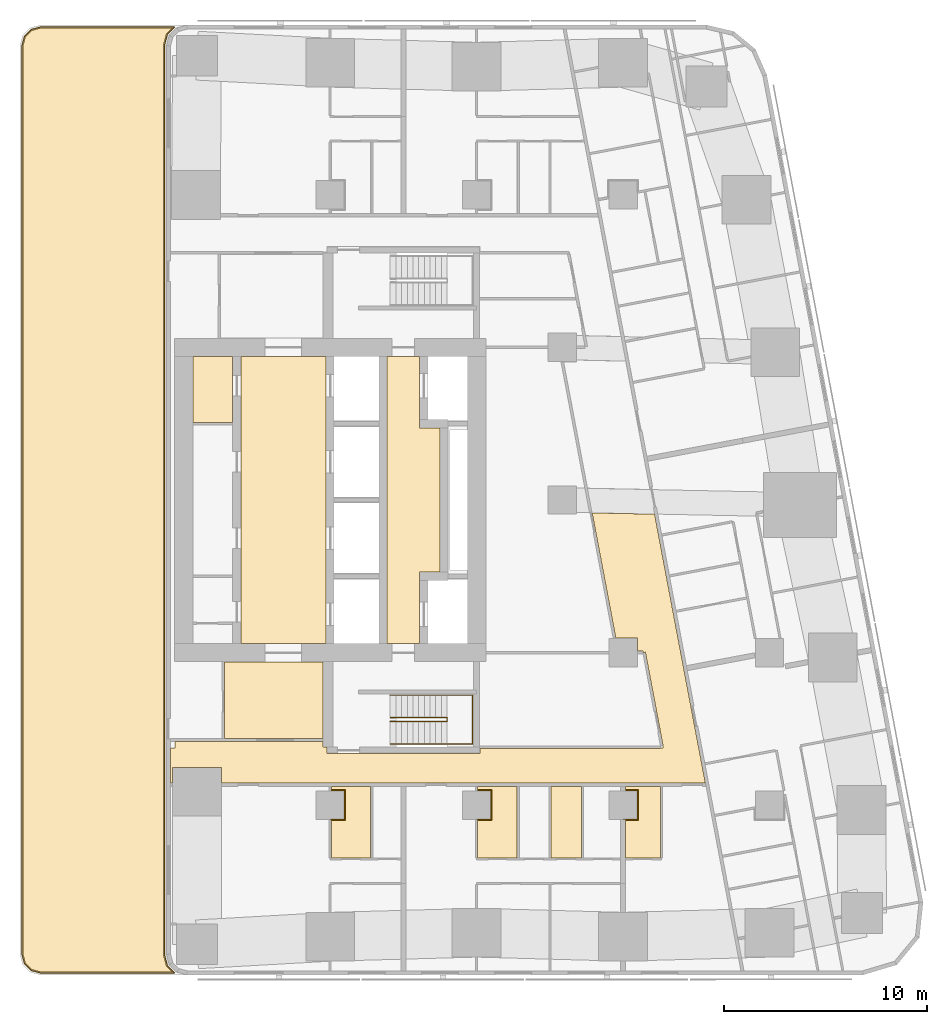
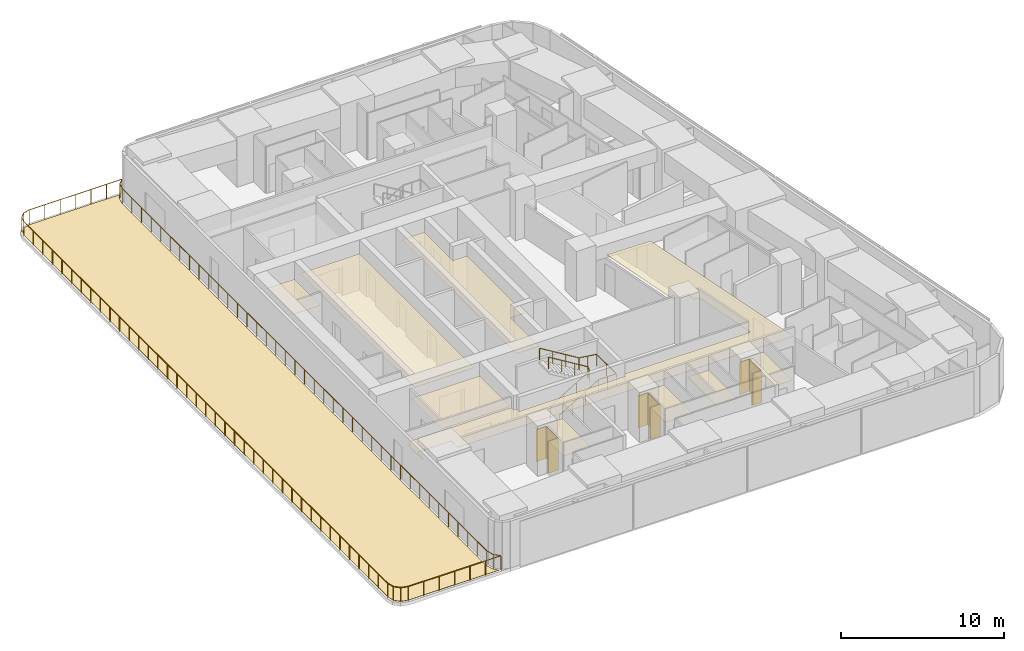
# One storey, part 10 of 11: 13 coverings, 3 railings.
"""IFC4 building model written with IfcOpenShell, lengths in metres."""

from ifc_helpers import new_model, si_unit, direction, frame, origin, origin_2d, place, context, subcontext, project, spatial, polyline, circle, outline, extrude, material, layer, layer_set, type_object, element, save


model = new_model("IFC4")

# Units and contexts
model_context = context("Model", 3, precision=1e-05, world=origin(), true_north=direction((0.0, 1.0)))
body_context = subcontext(model_context, "Body", "Model", "MODEL_VIEW")
ifc_project = project(units=[si_unit("LENGTHUNIT", "METRE"), si_unit("AREAUNIT", "SQUARE_METRE"), si_unit("VOLUMEUNIT", "CUBIC_METRE"), si_unit("PLANEANGLEUNIT", "RADIAN"), si_unit("MASSUNIT", "GRAM", prefix="KILO")], contexts=[model_context])

# Site, building, storey
site_placement = place(None, origin())
site = spatial("IfcSite", under=ifc_project, at=site_placement, CompositionType="ELEMENT")
building_placement = place(site_placement, origin())
building = spatial("IfcBuilding", under=site, at=building_placement, Name="Sheger Commons Tower", CompositionType="ELEMENT")
storey_placement = place(building_placement, frame((0.0, 0.0, 223.699951171875)))
storey = spatial("IfcBuildingStorey", under=building, at=storey_placement, Name="L57", CompositionType="ELEMENT", Elevation=223.699951171875)

# Railings
ifc_material_1 = material(Name="Black steel guard with glass infill", Category="steel")
railing_type_1 = type_object("IfcRailingType", Name="GUARD 1100", PredefinedType="GUARDRAIL", material=ifc_material_1)
railing_1_placement = place(storey_placement, frame((7.363037109375, -0.75, 0.0)))
element("IfcRailing", 1, at=railing_1_placement, inside=storey, type_object=railing_type_1, Name="Terrace guard L57", PredefinedType="GUARDRAIL", context=body_context, shape_type="SweptSolid", body=[
    extrude(circle(Radius=0.02392578125, at=origin_2d()), frame((0.0, 0.0, 1.0771484375), z_axis=(-0.965655254015, 0.259826731483, 0.0), x_axis=(-0.259826731483, -0.965655254015, 0.0)), (0.0, 0.0, 1.0), 0.477294921875),
    extrude(circle(Radius=0.02392578125, at=origin_2d()), frame((-0.4609375, 0.1240234375, 1.0771484375), z_axis=(-0.707369890659, 0.706843573776, 0.0), x_axis=(-0.706843573776, -0.707369890659, 0.0)), (0.0, 0.0, 1.0), 0.4638671875),
    extrude(circle(Radius=0.02392578125, at=origin_2d()), frame((-0.7890625, 0.451904296875, 1.0771484375), z_axis=(-0.259698463175, 0.965689757751, 0.0), x_axis=(-0.965689757751, -0.259698463175, 0.0)), (0.0, 0.0, 1.0), 0.4775390625),
    extrude(circle(Radius=0.02392578125, at=origin_2d()), frame((-0.9130859375, 0.9130859375, 1.0771484375), z_axis=(0.0, 1.0, 0.0), x_axis=(-1.0, 0.0, 0.0)), (0.0, 0.0, 1.0), 44.673828125),
    extrude(circle(Radius=0.02392578125, at=origin_2d()), frame((-0.9130859375, 45.5869140625, 1.0771484375), z_axis=(0.259698463175, 0.965689757751, 0.0), x_axis=(-0.965689757751, 0.259698463175, 0.0)), (0.0, 0.0, 1.0), 0.4775390625),
    extrude(circle(Radius=0.02392578125, at=origin_2d()), frame((-0.7890625, 46.048095703125, 1.0771484375), z_axis=(0.707369890659, 0.706843573776, 0.0), x_axis=(-0.706843573776, 0.707369890659, 0.0)), (0.0, 0.0, 1.0), 0.4638671875),
    extrude(circle(Radius=0.02392578125, at=origin_2d()), frame((-0.4609375, 46.3759765625, 1.0771484375), z_axis=(0.965655254015, 0.259826731483, 0.0), x_axis=(-0.259826731483, 0.965655254015, 0.0)), (0.0, 0.0, 1.0), 0.477294921875),
    extrude(circle(Radius=0.02392578125, at=origin_2d()), frame((0.0, 46.5, 1.0771484375), z_axis=(1.0, 0.0, 0.0), x_axis=(0.0, 1.0, 0.0)), (0.0, 0.0, 1.0), 6.580078125),
    extrude(circle(Radius=0.02392578125, at=origin_2d()), frame((6.580078125, 46.5, 1.0771484375), z_axis=(-0.708344060548, -0.705867333064, 0.0), x_axis=(0.705867333064, -0.708344060548, 0.0)), (0.0, 0.0, 1.0), 0.492919921875),
    extrude(circle(Radius=0.02392578125, at=origin_2d()), frame((6.23095703125, 46.152099609375, 1.0771484375), z_axis=(-0.258152815448, -0.966104095777, 0.0), x_axis=(0.966104095777, -0.258152815448, 0.0)), (0.0, 0.0, 1.0), 0.557861328125),
    extrude(circle(Radius=0.02392578125, at=origin_2d()), frame((6.0869140625, 45.613037109375, 1.0771484375), z_axis=(0.0, -1.0, 0.0), x_axis=(1.0, 0.0, 0.0)), (0.0, 0.0, 1.0), 44.72607421875),
    extrude(circle(Radius=0.02392578125, at=origin_2d()), frame((6.0869140625, 0.886962890625, 1.0771484375), z_axis=(0.258152815448, -0.966104095777, 0.0), x_axis=(0.966104095777, 0.258152815448, 0.0)), (0.0, 0.0, 1.0), 0.557861328125),
    extrude(circle(Radius=0.02392578125, at=origin_2d()), frame((6.23095703125, 0.347900390625, 1.0771484375), z_axis=(0.708344060548, -0.705867333064, 0.0), x_axis=(0.705867333064, 0.708344060548, 0.0)), (0.0, 0.0, 1.0), 0.492919921875),
    extrude(circle(Radius=0.02392578125, at=origin_2d()), frame((6.580078125, 0.0, 1.0771484375), z_axis=(-1.0, 0.0, 0.0), x_axis=(0.0, -1.0, 0.0)), (0.0, 0.0, 1.0), 6.580078125),
    extrude(circle(Radius=0.02099609375, at=origin_2d()), origin(), (0.0, 0.0, 1.0), 1.052001953125),
    extrude(circle(Radius=0.02099609375, at=origin_2d()), frame((-0.4609375, 0.1240234375, 0.0)), (0.0, 0.0, 1.0), 1.052001953125),
    extrude(circle(Radius=0.02099609375, at=origin_2d()), frame((-0.7890625, 0.451904296875, 0.0)), (0.0, 0.0, 1.0), 1.052001953125),
    extrude(circle(Radius=0.02099609375, at=origin_2d()), frame((-0.9130859375, 0.9130859375, 0.0)), (0.0, 0.0, 1.0), 1.052001953125),
    extrude(circle(Radius=0.02099609375, at=origin_2d()), frame((-0.9130859375, 2.088623046875, 0.0)), (0.0, 0.0, 1.0), 1.052001953125),
    extrude(circle(Radius=0.02099609375, at=origin_2d()), frame((-0.9130859375, 3.264404296875, 0.0)), (0.0, 0.0, 1.0), 1.052001953125),
    extrude(circle(Radius=0.02099609375, at=origin_2d()), frame((-0.9130859375, 4.43994140625, 0.0)), (0.0, 0.0, 1.0), 1.052001953125),
    extrude(circle(Radius=0.02099609375, at=origin_2d()), frame((-0.9130859375, 5.615478515625, 0.0)), (0.0, 0.0, 1.0), 1.052001953125),
    extrude(circle(Radius=0.02099609375, at=origin_2d()), frame((-0.9130859375, 6.791259765625, 0.0)), (0.0, 0.0, 1.0), 1.052001953125),
    extrude(circle(Radius=0.02099609375, at=origin_2d()), frame((-0.9130859375, 7.966796875, 0.0)), (0.0, 0.0, 1.0), 1.052001953125),
    extrude(circle(Radius=0.02099609375, at=origin_2d()), frame((-0.9130859375, 9.142578125, 0.0)), (0.0, 0.0, 1.0), 1.052001953125),
    extrude(circle(Radius=0.02099609375, at=origin_2d()), frame((-0.9130859375, 10.318115234375, 0.0)), (0.0, 0.0, 1.0), 1.052001953125),
    extrude(circle(Radius=0.02099609375, at=origin_2d()), frame((-0.9130859375, 11.49365234375, 0.0)), (0.0, 0.0, 1.0), 1.052001953125),
    extrude(circle(Radius=0.02099609375, at=origin_2d()), frame((-0.9130859375, 12.66943359375, 0.0)), (0.0, 0.0, 1.0), 1.052001953125),
    extrude(circle(Radius=0.02099609375, at=origin_2d()), frame((-0.9130859375, 13.844970703125, 0.0)), (0.0, 0.0, 1.0), 1.052001953125),
    extrude(circle(Radius=0.02099609375, at=origin_2d()), frame((-0.9130859375, 15.0205078125, 0.0)), (0.0, 0.0, 1.0), 1.052001953125),
    extrude(circle(Radius=0.02099609375, at=origin_2d()), frame((-0.9130859375, 16.1962890625, 0.0)), (0.0, 0.0, 1.0), 1.052001953125),
    extrude(circle(Radius=0.02099609375, at=origin_2d()), frame((-0.9130859375, 17.371826171875, 0.0)), (0.0, 0.0, 1.0), 1.052001953125),
    extrude(circle(Radius=0.02099609375, at=origin_2d()), frame((-0.9130859375, 18.547607421875, 0.0)), (0.0, 0.0, 1.0), 1.052001953125),
    extrude(circle(Radius=0.02099609375, at=origin_2d()), frame((-0.9130859375, 19.72314453125, 0.0)), (0.0, 0.0, 1.0), 1.052001953125),
    extrude(circle(Radius=0.02099609375, at=origin_2d()), frame((-0.9130859375, 20.898681640625, 0.0)), (0.0, 0.0, 1.0), 1.052001953125),
    extrude(circle(Radius=0.02099609375, at=origin_2d()), frame((-0.9130859375, 22.074462890625, 0.0)), (0.0, 0.0, 1.0), 1.052001953125),
    extrude(circle(Radius=0.02099609375, at=origin_2d()), frame((-0.9130859375, 23.25, 0.0)), (0.0, 0.0, 1.0), 1.052001953125),
    extrude(circle(Radius=0.02099609375, at=origin_2d()), frame((-0.9130859375, 24.425537109375, 0.0)), (0.0, 0.0, 1.0), 1.052001953125),
    extrude(circle(Radius=0.02099609375, at=origin_2d()), frame((-0.9130859375, 25.601318359375, 0.0)), (0.0, 0.0, 1.0), 1.052001953125),
    extrude(circle(Radius=0.02099609375, at=origin_2d()), frame((-0.9130859375, 26.77685546875, 0.0)), (0.0, 0.0, 1.0), 1.052001953125),
    extrude(circle(Radius=0.02099609375, at=origin_2d()), frame((-0.9130859375, 27.952392578125, 0.0)), (0.0, 0.0, 1.0), 1.052001953125),
    extrude(circle(Radius=0.02099609375, at=origin_2d()), frame((-0.9130859375, 29.128173828125, 0.0)), (0.0, 0.0, 1.0), 1.052001953125),
    extrude(circle(Radius=0.02099609375, at=origin_2d()), frame((-0.9130859375, 30.3037109375, 0.0)), (0.0, 0.0, 1.0), 1.052001953125),
    extrude(circle(Radius=0.02099609375, at=origin_2d()), frame((-0.9130859375, 31.4794921875, 0.0)), (0.0, 0.0, 1.0), 1.052001953125),
    extrude(circle(Radius=0.02099609375, at=origin_2d()), frame((-0.9130859375, 32.655029296875, 0.0)), (0.0, 0.0, 1.0), 1.052001953125),
    extrude(circle(Radius=0.02099609375, at=origin_2d()), frame((-0.9130859375, 33.83056640625, 0.0)), (0.0, 0.0, 1.0), 1.052001953125),
    extrude(circle(Radius=0.02099609375, at=origin_2d()), frame((-0.9130859375, 35.00634765625, 0.0)), (0.0, 0.0, 1.0), 1.052001953125),
    extrude(circle(Radius=0.02099609375, at=origin_2d()), frame((-0.9130859375, 36.181884765625, 0.0)), (0.0, 0.0, 1.0), 1.052001953125),
    extrude(circle(Radius=0.02099609375, at=origin_2d()), frame((-0.9130859375, 37.357421875, 0.0)), (0.0, 0.0, 1.0), 1.052001953125),
    extrude(circle(Radius=0.02099609375, at=origin_2d()), frame((-0.9130859375, 38.533203125, 0.0)), (0.0, 0.0, 1.0), 1.052001953125),
    extrude(circle(Radius=0.02099609375, at=origin_2d()), frame((-0.9130859375, 39.708740234375, 0.0)), (0.0, 0.0, 1.0), 1.052001953125),
    extrude(circle(Radius=0.02099609375, at=origin_2d()), frame((-0.9130859375, 40.884521484375, 0.0)), (0.0, 0.0, 1.0), 1.052001953125),
    extrude(circle(Radius=0.02099609375, at=origin_2d()), frame((-0.9130859375, 42.06005859375, 0.0)), (0.0, 0.0, 1.0), 1.052001953125),
    extrude(circle(Radius=0.02099609375, at=origin_2d()), frame((-0.9130859375, 43.235595703125, 0.0)), (0.0, 0.0, 1.0), 1.052001953125),
    extrude(circle(Radius=0.02099609375, at=origin_2d()), frame((-0.9130859375, 44.411376953125, 0.0)), (0.0, 0.0, 1.0), 1.052001953125),
    extrude(circle(Radius=0.02099609375, at=origin_2d()), frame((-0.9130859375, 45.5869140625, 0.0)), (0.0, 0.0, 1.0), 1.052001953125),
    extrude(circle(Radius=0.02099609375, at=origin_2d()), frame((-0.7890625, 46.048095703125, 0.0)), (0.0, 0.0, 1.0), 1.052001953125),
    extrude(circle(Radius=0.02099609375, at=origin_2d()), frame((-0.4609375, 46.3759765625, 0.0)), (0.0, 0.0, 1.0), 1.052001953125),
    extrude(circle(Radius=0.02099609375, at=origin_2d()), frame((0.0, 46.5, 0.0)), (0.0, 0.0, 1.0), 1.052001953125),
    extrude(circle(Radius=0.02099609375, at=origin_2d()), frame((1.0966796875, 46.5, 0.0)), (0.0, 0.0, 1.0), 1.052001953125),
    extrude(circle(Radius=0.02099609375, at=origin_2d()), frame((2.193359375, 46.5, 0.0)), (0.0, 0.0, 1.0), 1.052001953125),
    extrude(circle(Radius=0.02099609375, at=origin_2d()), frame((3.2900390625, 46.5, 0.0)), (0.0, 0.0, 1.0), 1.052001953125),
    extrude(circle(Radius=0.02099609375, at=origin_2d()), frame((4.38671875, 46.5, 0.0)), (0.0, 0.0, 1.0), 1.052001953125),
    extrude(circle(Radius=0.02099609375, at=origin_2d()), frame((5.4833984375, 46.5, 0.0)), (0.0, 0.0, 1.0), 1.052001953125),
    extrude(circle(Radius=0.02099609375, at=origin_2d()), frame((6.580078125, 46.5, 0.0)), (0.0, 0.0, 1.0), 1.052001953125),
    extrude(circle(Radius=0.02099609375, at=origin_2d()), frame((6.23095703125, 46.152099609375, 0.0)), (0.0, 0.0, 1.0), 1.052001953125),
    extrude(circle(Radius=0.02099609375, at=origin_2d()), frame((6.0869140625, 45.613037109375, 0.0)), (0.0, 0.0, 1.0), 1.052001953125),
    extrude(circle(Radius=0.02099609375, at=origin_2d()), frame((6.0869140625, 44.43603515625, 0.0)), (0.0, 0.0, 1.0), 1.052001953125),
    extrude(circle(Radius=0.02099609375, at=origin_2d()), frame((6.0869140625, 43.259033203125, 0.0)), (0.0, 0.0, 1.0), 1.052001953125),
    extrude(circle(Radius=0.02099609375, at=origin_2d()), frame((6.0869140625, 42.08203125, 0.0)), (0.0, 0.0, 1.0), 1.052001953125),
    extrude(circle(Radius=0.02099609375, at=origin_2d()), frame((6.0869140625, 40.905029296875, 0.0)), (0.0, 0.0, 1.0), 1.052001953125),
    extrude(circle(Radius=0.02099609375, at=origin_2d()), frame((6.0869140625, 39.72802734375, 0.0)), (0.0, 0.0, 1.0), 1.052001953125),
    extrude(circle(Radius=0.02099609375, at=origin_2d()), frame((6.0869140625, 38.551025390625, 0.0)), (0.0, 0.0, 1.0), 1.052001953125),
    extrude(circle(Radius=0.02099609375, at=origin_2d()), frame((6.0869140625, 37.3740234375, 0.0)), (0.0, 0.0, 1.0), 1.052001953125),
    extrude(circle(Radius=0.02099609375, at=origin_2d()), frame((6.0869140625, 36.197021484375, 0.0)), (0.0, 0.0, 1.0), 1.052001953125),
    extrude(circle(Radius=0.02099609375, at=origin_2d()), frame((6.0869140625, 35.02001953125, 0.0)), (0.0, 0.0, 1.0), 1.052001953125),
    extrude(circle(Radius=0.02099609375, at=origin_2d()), frame((6.0869140625, 33.843017578125, 0.0)), (0.0, 0.0, 1.0), 1.052001953125),
    extrude(circle(Radius=0.02099609375, at=origin_2d()), frame((6.0869140625, 32.666015625, 0.0)), (0.0, 0.0, 1.0), 1.052001953125),
    extrude(circle(Radius=0.02099609375, at=origin_2d()), frame((6.0869140625, 31.489013671875, 0.0)), (0.0, 0.0, 1.0), 1.052001953125),
    extrude(circle(Radius=0.02099609375, at=origin_2d()), frame((6.0869140625, 30.31201171875, 0.0)), (0.0, 0.0, 1.0), 1.052001953125),
    extrude(circle(Radius=0.02099609375, at=origin_2d()), frame((6.0869140625, 29.135009765625, 0.0)), (0.0, 0.0, 1.0), 1.052001953125),
    extrude(circle(Radius=0.02099609375, at=origin_2d()), frame((6.0869140625, 27.9580078125, 0.0)), (0.0, 0.0, 1.0), 1.052001953125),
    extrude(circle(Radius=0.02099609375, at=origin_2d()), frame((6.0869140625, 26.781005859375, 0.0)), (0.0, 0.0, 1.0), 1.052001953125),
    extrude(circle(Radius=0.02099609375, at=origin_2d()), frame((6.0869140625, 25.60400390625, 0.0)), (0.0, 0.0, 1.0), 1.052001953125),
    extrude(circle(Radius=0.02099609375, at=origin_2d()), frame((6.0869140625, 24.427001953125, 0.0)), (0.0, 0.0, 1.0), 1.052001953125),
    extrude(circle(Radius=0.02099609375, at=origin_2d()), frame((6.0869140625, 23.25, 0.0)), (0.0, 0.0, 1.0), 1.052001953125),
    extrude(circle(Radius=0.02099609375, at=origin_2d()), frame((6.0869140625, 22.072998046875, 0.0)), (0.0, 0.0, 1.0), 1.052001953125),
    extrude(circle(Radius=0.02099609375, at=origin_2d()), frame((6.0869140625, 20.89599609375, 0.0)), (0.0, 0.0, 1.0), 1.052001953125),
    extrude(circle(Radius=0.02099609375, at=origin_2d()), frame((6.0869140625, 19.718994140625, 0.0)), (0.0, 0.0, 1.0), 1.052001953125),
    extrude(circle(Radius=0.02099609375, at=origin_2d()), frame((6.0869140625, 18.5419921875, 0.0)), (0.0, 0.0, 1.0), 1.052001953125),
    extrude(circle(Radius=0.02099609375, at=origin_2d()), frame((6.0869140625, 17.364990234375, 0.0)), (0.0, 0.0, 1.0), 1.052001953125),
    extrude(circle(Radius=0.02099609375, at=origin_2d()), frame((6.0869140625, 16.18798828125, 0.0)), (0.0, 0.0, 1.0), 1.052001953125),
    extrude(circle(Radius=0.02099609375, at=origin_2d()), frame((6.0869140625, 15.010986328125, 0.0)), (0.0, 0.0, 1.0), 1.052001953125),
    extrude(circle(Radius=0.02099609375, at=origin_2d()), frame((6.0869140625, 13.833984375, 0.0)), (0.0, 0.0, 1.0), 1.052001953125),
    extrude(circle(Radius=0.02099609375, at=origin_2d()), frame((6.0869140625, 12.656982421875, 0.0)), (0.0, 0.0, 1.0), 1.052001953125),
    extrude(circle(Radius=0.02099609375, at=origin_2d()), frame((6.0869140625, 11.47998046875, 0.0)), (0.0, 0.0, 1.0), 1.052001953125),
    extrude(circle(Radius=0.02099609375, at=origin_2d()), frame((6.0869140625, 10.302978515625, 0.0)), (0.0, 0.0, 1.0), 1.052001953125),
    extrude(circle(Radius=0.02099609375, at=origin_2d()), frame((6.0869140625, 9.1259765625, 0.0)), (0.0, 0.0, 1.0), 1.052001953125),
    extrude(circle(Radius=0.02099609375, at=origin_2d()), frame((6.0869140625, 7.948974609375, 0.0)), (0.0, 0.0, 1.0), 1.052001953125),
    extrude(circle(Radius=0.02099609375, at=origin_2d()), frame((6.0869140625, 6.77197265625, 0.0)), (0.0, 0.0, 1.0), 1.052001953125),
    extrude(circle(Radius=0.02099609375, at=origin_2d()), frame((6.0869140625, 5.594970703125, 0.0)), (0.0, 0.0, 1.0), 1.052001953125),
    extrude(circle(Radius=0.02099609375, at=origin_2d()), frame((6.0869140625, 4.41796875, 0.0)), (0.0, 0.0, 1.0), 1.052001953125),
    extrude(circle(Radius=0.02099609375, at=origin_2d()), frame((6.0869140625, 3.240966796875, 0.0)), (0.0, 0.0, 1.0), 1.052001953125),
    extrude(circle(Radius=0.02099609375, at=origin_2d()), frame((6.0869140625, 2.06396484375, 0.0)), (0.0, 0.0, 1.0), 1.052001953125),
    extrude(circle(Radius=0.02099609375, at=origin_2d()), frame((6.0869140625, 0.886962890625, 0.0)), (0.0, 0.0, 1.0), 1.052001953125),
    extrude(circle(Radius=0.02099609375, at=origin_2d()), frame((6.23095703125, 0.347900390625, 0.0)), (0.0, 0.0, 1.0), 1.052001953125),
    extrude(circle(Radius=0.02099609375, at=origin_2d()), frame((6.580078125, 0.0, 0.0)), (0.0, 0.0, 1.0), 1.052001953125),
    extrude(circle(Radius=0.02099609375, at=origin_2d()), frame((5.4833984375, 0.0, 0.0)), (0.0, 0.0, 1.0), 1.052001953125),
    extrude(circle(Radius=0.02099609375, at=origin_2d()), frame((4.38671875, 0.0, 0.0)), (0.0, 0.0, 1.0), 1.052001953125),
    extrude(circle(Radius=0.02099609375, at=origin_2d()), frame((3.2900390625, 0.0, 0.0)), (0.0, 0.0, 1.0), 1.052001953125),
    extrude(circle(Radius=0.02099609375, at=origin_2d()), frame((2.193359375, 0.0, 0.0)), (0.0, 0.0, 1.0), 1.052001953125),
    extrude(circle(Radius=0.02099609375, at=origin_2d()), frame((1.0966796875, 0.0, 0.0)), (0.0, 0.0, 1.0), 1.052001953125),
])
ifc_material_2 = material(Name="Steel handrail, black powder-coated", Category="steel")
railing_type_2 = type_object("IfcRailingType", Name="HANDRAIL 900", PredefinedType="HANDRAIL", material=ifc_material_2)
railing_2_placement = place(storey_placement, frame((24.550048828125, 11.60009765625, 0.17041015625)))
element("IfcRailing", 2, at=railing_2_placement, inside=storey, type_object=railing_type_2, Name="Stair S1 handrail L57", PredefinedType="HANDRAIL", context=body_context, shape_type="SweptSolid", body=[
    extrude(circle(Radius=0.02392578125, at=origin_2d()), frame((0.0, 0.0, 0.8759765625), z_axis=(0.854169791009, 0.0, 0.51999420009), x_axis=(0.0, 1.0, 0.0)), (0.0, 0.0, 1.0), 3.278076171875),
    extrude(circle(Radius=0.02392578125, at=origin_2d()), frame((2.800048828125, 0.0, 2.58056640625), z_axis=(0.0, 0.761090297175, 0.648645943136), x_axis=(-1.0, 0.0, 0.0)), (0.0, 0.0, 1.0), 0.2626953125),
    extrude(circle(Radius=0.02392578125, at=origin_2d()), frame((2.800048828125, 0.199951171875, 2.7509765625), z_axis=(-0.854169791009, 0.0, 0.51999420009), x_axis=(0.0, -1.0, 0.0)), (0.0, 0.0, 1.0), 3.278076171875),
    extrude(circle(Radius=0.02099609375, at=origin_2d()), origin(), (0.0, 0.0, 1.0), 0.851806640625),
    extrude(circle(Radius=0.02099609375, at=origin_2d()), frame((0.933349609375, 0.0, 0.568115234375)), (0.0, 0.0, 1.0), 0.851806640625),
    extrude(circle(Radius=0.02099609375, at=origin_2d()), frame((1.86669921875, 0.0, 1.136474609375)), (0.0, 0.0, 1.0), 0.851806640625),
    extrude(circle(Radius=0.02099609375, at=origin_2d()), frame((2.800048828125, 0.0, 1.70458984375)), (0.0, 0.0, 1.0), 0.851806640625),
    extrude(circle(Radius=0.02099609375, at=origin_2d()), frame((2.800048828125, 0.199951171875, 1.875)), (0.0, 0.0, 1.0), 0.851806640625),
    extrude(circle(Radius=0.02099609375, at=origin_2d()), frame((1.86669921875, 0.199951171875, 2.443115234375)), (0.0, 0.0, 1.0), 0.851806640625),
    extrude(circle(Radius=0.02099609375, at=origin_2d()), frame((0.933349609375, 0.199951171875, 3.011474609375)), (0.0, 0.0, 1.0), 0.851806640625),
    extrude(circle(Radius=0.02099609375, at=origin_2d()), frame((0.0, 0.199951171875, 3.57958984375)), (0.0, 0.0, 1.0), 0.851806640625),
])
railing_3_placement = place(storey_placement, frame((24.550048828125, 10.5, 0.17041015625)))
element("IfcRailing", 3, at=railing_3_placement, inside=storey, type_object=railing_type_2, Name="Stair S1 handrail L57", PredefinedType="HANDRAIL", context=body_context, shape_type="SweptSolid", body=[
    extrude(circle(Radius=0.02392578125, at=origin_2d()), frame((0.0, 0.0, 0.8759765625), z_axis=(0.854169791009, 0.0, 0.51999420009), x_axis=(0.0, 1.0, 0.0)), (0.0, 0.0, 1.0), 3.278076171875),
    extrude(circle(Radius=0.02392578125, at=origin_2d()), frame((2.800048828125, 0.0, 2.58056640625), z_axis=(1.0, 0.0, 0.0), x_axis=(0.0, 1.0, 0.0)), (0.0, 0.0, 1.0), 1.25),
    extrude(circle(Radius=0.02392578125, at=origin_2d()), frame((4.050048828125, 0.0, 2.58056640625), z_axis=(0.0, 1.0, 0.0), x_axis=(-1.0, 0.0, 0.0)), (0.0, 0.0, 1.0), 2.39990234375),
    extrude(circle(Radius=0.02392578125, at=origin_2d()), frame((4.050048828125, 2.39990234375, 2.58056640625), z_axis=(-0.990834877927, 0.0, 0.135078661092), x_axis=(0.0, -1.0, 0.0)), (0.0, 0.0, 1.0), 1.261474609375),
    extrude(circle(Radius=0.02392578125, at=origin_2d()), frame((2.800048828125, 2.39990234375, 2.7509765625), z_axis=(-0.854169791009, 0.0, 0.51999420009), x_axis=(0.0, -1.0, 0.0)), (0.0, 0.0, 1.0), 3.278076171875),
    extrude(circle(Radius=0.02099609375, at=origin_2d()), origin(), (0.0, 0.0, 1.0), 0.851806640625),
    extrude(circle(Radius=0.02099609375, at=origin_2d()), frame((0.933349609375, 0.0, 0.568115234375)), (0.0, 0.0, 1.0), 0.851806640625),
    extrude(circle(Radius=0.02099609375, at=origin_2d()), frame((1.86669921875, 0.0, 1.136474609375)), (0.0, 0.0, 1.0), 0.851806640625),
    extrude(circle(Radius=0.02099609375, at=origin_2d()), frame((2.800048828125, 0.0, 1.70458984375)), (0.0, 0.0, 1.0), 0.851806640625),
    extrude(circle(Radius=0.02099609375, at=origin_2d()), frame((3.425048828125, 0.0, 1.70458984375)), (0.0, 0.0, 1.0), 0.851806640625),
    extrude(circle(Radius=0.02099609375, at=origin_2d()), frame((4.050048828125, 0.0, 1.70458984375)), (0.0, 0.0, 1.0), 0.851806640625),
    extrude(circle(Radius=0.02099609375, at=origin_2d()), frame((4.050048828125, 1.199951171875, 1.70458984375)), (0.0, 0.0, 1.0), 0.851806640625),
    extrude(circle(Radius=0.02099609375, at=origin_2d()), frame((4.050048828125, 2.39990234375, 1.70458984375)), (0.0, 0.0, 1.0), 0.851806640625),
    extrude(circle(Radius=0.02099609375, at=origin_2d()), frame((3.425048828125, 2.39990234375, 1.789794921875)), (0.0, 0.0, 1.0), 0.851806640625),
    extrude(circle(Radius=0.02099609375, at=origin_2d()), frame((2.800048828125, 2.39990234375, 1.875)), (0.0, 0.0, 1.0), 0.851806640625),
    extrude(circle(Radius=0.02099609375, at=origin_2d()), frame((1.86669921875, 2.39990234375, 2.443115234375)), (0.0, 0.0, 1.0), 0.851806640625),
    extrude(circle(Radius=0.02099609375, at=origin_2d()), frame((0.933349609375, 2.39990234375, 3.011474609375)), (0.0, 0.0, 1.0), 0.851806640625),
    extrude(circle(Radius=0.02099609375, at=origin_2d()), frame((0.0, 2.39990234375, 3.57958984375)), (0.0, 0.0, 1.0), 0.851806640625),
])

# Coverings
ifc_material_3 = material(Name="Moisture-resistant gypsum plasterboard 15 mm on a suspended galvanised steel grid", Category="steel")
ifc_layer_1 = layer(ifc_material_3, 0.014892578125)
ifc_layer_set_1 = layer_set([ifc_layer_1], Name="MOISTURE-RESISTANT CEILING 15")
covering_type_1 = type_object("IfcCoveringType", Name="MOISTURE-RESISTANT CEILING 15", PredefinedType="CEILING", material=ifc_layer_set_1)
covering_1_placement = place(storey_placement, frame((0.0, 0.0, 2.400146484375)))
element("IfcCovering", 4, at=covering_1_placement, inside=storey, type_object=covering_type_1, Name="L57-01.B1 ceiling", PredefinedType="CEILING", context=body_context, shape_type="SweptSolid", body=[
    extrude(outline(polyline([(21.655029296875, 4.905029296875), (23.594970703125, 4.905029296875), (23.594970703125, 8.419921875), (21.655029296875, 8.419921875), (21.655029296875, 8.205078125), (22.304931640625, 8.205078125), (22.304931640625, 6.794921875), (21.655029296875, 6.794921875), (21.655029296875, 4.905029296875)])), origin(), (0.0, 0.0, 1.0), 0.014892578125),
])
covering_2_placement = place(storey_placement, frame((0.0, 0.0, 2.400146484375)))
element("IfcCovering", 5, at=covering_2_placement, inside=storey, type_object=covering_type_1, Name="L57-02.B1 ceiling", PredefinedType="CEILING", context=body_context, shape_type="SweptSolid", body=[
    extrude(outline(polyline([(28.85498046875, 4.905029296875), (30.794921875, 4.905029296875), (30.794921875, 8.419921875), (28.85498046875, 8.419921875), (28.85498046875, 8.205078125), (29.5048828125, 8.205078125), (29.5048828125, 6.794921875), (28.85498046875, 6.794921875), (28.85498046875, 4.905029296875)])), origin(), (0.0, 0.0, 1.0), 0.014892578125),
])
covering_3_placement = place(storey_placement, frame((0.0, 0.0, 2.400146484375)))
element("IfcCovering", 6, at=covering_3_placement, inside=storey, type_object=covering_type_1, Name="L57-02.B2 ceiling", PredefinedType="CEILING", context=body_context, shape_type="SweptSolid", body=[
    extrude(outline(polyline([(32.455078125, 4.905029296875), (33.945068359375, 4.905029296875), (33.945068359375, 8.419921875), (32.455078125, 8.419921875), (32.455078125, 4.905029296875)])), origin(), (0.0, 0.0, 1.0), 0.014892578125),
])
covering_4_placement = place(storey_placement, frame((0.0, 0.0, 2.400146484375)))
element("IfcCovering", 7, at=covering_4_placement, inside=storey, type_object=covering_type_1, Name="L57-03.B1 ceiling", PredefinedType="CEILING", context=body_context, shape_type="SweptSolid", body=[
    extrude(outline(polyline([(36.1298828125, 4.905029296875), (37.8349609375, 4.905029296875), (37.8349609375, 8.419921875), (36.1298828125, 8.419921875), (36.1298828125, 8.205078125), (36.705078125, 8.205078125), (36.705078125, 6.794921875), (36.1298828125, 6.794921875), (36.1298828125, 4.905029296875)])), origin(), (0.0, 0.0, 1.0), 0.014892578125),
])
covering_5_placement = place(storey_placement, frame((0.0, 0.0, 2.400146484375)))
element("IfcCovering", 8, at=covering_5_placement, inside=storey, type_object=covering_type_1, Name="L57-CRB3 ceiling", PredefinedType="CEILING", context=body_context, shape_type="SweptSolid", body=[
    extrude(outline(polyline([(14.85498046875, 26.31689453125), (16.794921875, 26.31689453125), (16.794921875, 29.544921875), (14.85498046875, 29.544921875), (14.85498046875, 26.31689453125)])), origin(), (0.0, 0.0, 1.0), 0.014892578125),
])
ifc_material_4 = material(Name="Gypsum plasterboard 15 mm on a suspended steel grid", Category="steel")
ifc_layer_2 = layer(ifc_material_4, 0.014892578125)
ifc_layer_set_2 = layer_set([ifc_layer_2], Name="SUSPENDED CEILING 15")
covering_type_2 = type_object("IfcCoveringType", Name="SUSPENDED CEILING 15", PredefinedType="CEILING", material=ifc_layer_set_2)
covering_6_placement = place(storey_placement, frame((0.0, 0.0, 2.699951171875)))
element("IfcCovering", 9, at=covering_6_placement, inside=storey, type_object=covering_type_2, Name="L57-CO ceiling", PredefinedType="CEILING", context=body_context, shape_type="SweptSolid", body=[
    extrude(outline(polyline([(13.7548828125, 8.580078125), (13.84912109375, 8.580078125), (13.84912109375, 9.35888671875), (16.259033203125, 9.35888671875), (16.259033203125, 8.580078125), (40.047119140625, 8.580078125), (37.550048828125, 21.802978515625), (34.48291015625, 21.864990234375), (35.64306640625, 15.720947265625), (35.60595703125, 15.714111328125), (35.60791015625, 15.705078125), (36.705078125, 15.705078125), (36.705078125, 15.068115234375), (36.97802734375, 15.068115234375), (36.97802734375, 14.9951171875), (37.09912109375, 15.01708984375), (37.967041015625, 10.4208984375), (37.949951171875, 10.4169921875), (37.971923828125, 10.300048828125), (37.841064453125, 10.300048828125), (37.841064453125, 10.281982421875), (28.955078125, 10.281982421875), (28.955078125, 10.044921875), (21.445068359375, 10.044921875), (21.445068359375, 10.344970703125), (21.2451171875, 10.344970703125), (21.2451171875, 10.632080078125), (13.9599609375, 10.632080078125), (13.9599609375, 10.300048828125), (13.7548828125, 10.300048828125), (13.7548828125, 8.580078125)])), origin(), (0.0, 0.0, 1.0), 0.01513671875),
])
covering_7_placement = place(storey_placement, frame((0.0, 0.0, 2.699951171875)))
element("IfcCovering", 10, at=covering_7_placement, inside=storey, type_object=covering_type_2, Name="L57-SVS1 ceiling", PredefinedType="CEILING", context=body_context, shape_type="SweptSolid", body=[
    extrude(outline(polyline([(16.406982421875, 10.76806640625), (21.2451171875, 10.76806640625), (21.2451171875, 14.544921875), (16.406982421875, 14.544921875), (16.406982421875, 10.76806640625)])), origin(), (0.0, 0.0, 1.0), 0.01513671875),
])
covering_8_placement = place(storey_placement, frame((0.0, 0.0, 2.699951171875)))
element("IfcCovering", 11, at=covering_8_placement, inside=storey, type_object=covering_type_2, Name="L57-LL ceiling", PredefinedType="CEILING", context=body_context, shape_type="SweptSolid", body=[
    extrude(outline(polyline([(17.205078125, 15.455078125), (21.39990234375, 15.455078125), (21.39990234375, 29.544921875), (17.205078125, 29.544921875), (17.205078125, 15.455078125)])), origin(), (0.0, 0.0, 1.0), 0.01513671875),
])
covering_9_placement = place(storey_placement, frame((0.0, 0.0, 2.699951171875)))
element("IfcCovering", 12, at=covering_9_placement, inside=storey, type_object=covering_type_2, Name="L57-FL ceiling", PredefinedType="CEILING", context=body_context, shape_type="SweptSolid", body=[
    extrude(outline(polyline([(24.405029296875, 15.455078125), (25.9951171875, 15.455078125), (25.9951171875, 18.955078125), (26.9951171875, 18.955078125), (26.9951171875, 26.044921875), (25.9951171875, 26.044921875), (25.9951171875, 29.544921875), (24.405029296875, 29.544921875), (24.405029296875, 15.455078125)])), origin(), (0.0, 0.0, 1.0), 0.01513671875),
])
ifc_material_5 = material(Name="Porcelain paving tiles on a liquid-applied polyurethane waterproofing membrane")
ifc_layer_3 = layer(ifc_material_5, 0.014892578125)
ifc_layer_set_3 = layer_set([ifc_layer_3], Name="TERRACE TILING 15")
covering_type_3 = type_object("IfcCoveringType", Name="TERRACE TILING 15", PredefinedType="ROOFING", material=ifc_layer_set_3)
covering_10_placement = place(storey_placement, origin())
element("IfcCovering", 13, at=covering_10_placement, inside=storey, type_object=covering_type_3, Name="Roof terrace terrace finish", PredefinedType="ROOFING", context=body_context, shape_type="SweptSolid", body=[
    extrude(outline(polyline([(7.368896484375, -0.705078125), (13.833984375, -0.705078125), (13.553955078125, -0.425048828125), (13.405029296875, 0.131103515625), (13.405029296875, 44.868896484375), (13.553955078125, 45.425048828125), (13.833984375, 45.705078125), (7.368896484375, 45.705078125), (6.925048828125, 45.5859375), (6.614013671875, 45.27490234375), (6.4951171875, 44.8310546875), (6.4951171875, 0.1689453125), (6.614013671875, -0.27490234375), (6.925048828125, -0.5859375), (7.368896484375, -0.705078125)])), origin(), (0.0, 0.0, 1.0), 0.01513671875),
])
ifc_material_6 = material(Name="Moisture-resistant gypsum board 12.5 mm on 25 mm treated timber battens, tanked and tiled", Category="wood")
ifc_layer_4 = layer(ifc_material_6, 0.050048828125)
ifc_layer_set_4 = layer_set([ifc_layer_4], Name="WET-ROOM COLUMN LINING")
covering_type_4 = type_object("IfcCoveringType", Name="WET-ROOM COLUMN LINING", PredefinedType="CLADDING", material=ifc_layer_set_4)
covering_11_placement = place(storey_placement, origin())
element("IfcCovering", 14, at=covering_11_placement, inside=storey, type_object=covering_type_4, Name="Bathroom column lining C11 L57", PredefinedType="CLADDING", context=body_context, shape_type="SweptSolid", body=[
    extrude(outline(polyline([(22.35009765625, 6.75), (21.64990234375, 6.75), (21.64990234375, 6.799072265625), (21.60009765625, 6.799072265625), (21.60009765625, 6.800048828125), (22.300048828125, 6.800048828125), (22.300048828125, 8.199951171875), (21.60009765625, 8.199951171875), (21.60009765625, 8.200927734375), (21.64990234375, 8.200927734375), (21.64990234375, 8.25), (22.35009765625, 8.25), (22.35009765625, 6.75)])), origin(), (0.0, 0.0, 1.0), 2.400146484375),
])
covering_12_placement = place(storey_placement, origin())
element("IfcCovering", 15, at=covering_12_placement, inside=storey, type_object=covering_type_4, Name="Bathroom column lining C11 L57", PredefinedType="CLADDING", context=body_context, shape_type="SweptSolid", body=[
    extrude(outline(polyline([(29.550048828125, 6.75), (28.85009765625, 6.75), (28.85009765625, 6.799072265625), (28.800048828125, 6.799072265625), (28.800048828125, 6.800048828125), (29.5, 6.800048828125), (29.5, 8.199951171875), (28.800048828125, 8.199951171875), (28.800048828125, 8.200927734375), (28.85009765625, 8.200927734375), (28.85009765625, 8.25), (29.550048828125, 8.25), (29.550048828125, 6.75)])), origin(), (0.0, 0.0, 1.0), 2.400146484375),
])
covering_13_placement = place(storey_placement, origin())
element("IfcCovering", 16, at=covering_13_placement, inside=storey, type_object=covering_type_4, Name="Shower room column lining C11 L57", PredefinedType="CLADDING", context=body_context, shape_type="SweptSolid", body=[
    extrude(outline(polyline([(36.75, 6.75), (36.125, 6.75), (36.125, 6.799072265625), (36.0, 6.799072265625), (36.0, 6.800048828125), (36.699951171875, 6.800048828125), (36.699951171875, 8.199951171875), (36.0, 8.199951171875), (36.0, 8.200927734375), (36.125, 8.200927734375), (36.125, 8.25), (36.75, 8.25), (36.75, 6.75)])), origin(), (0.0, 0.0, 1.0), 2.400146484375),
])

save(model, "model.ifc")
